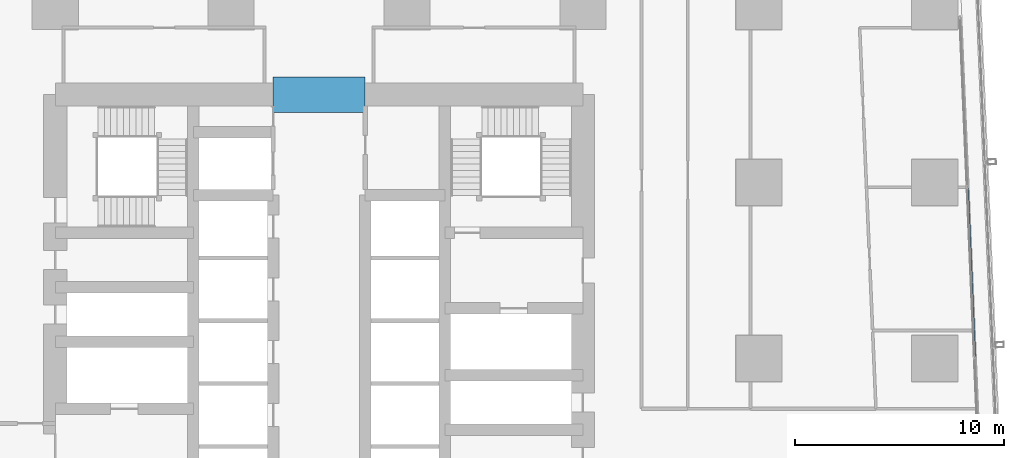
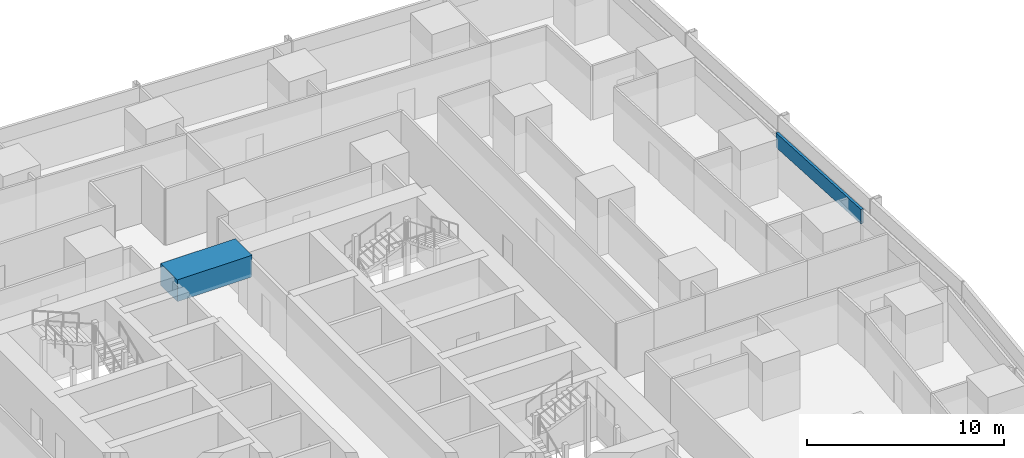
# One storey, part 17 of 42: 1 beam, 1 member, 1 element without a shape of its own.
"""IFC4 building model written with IfcOpenShell, lengths in metres."""

from ifc_helpers import new_model, si_unit, direction, frame, origin, origin_2d, place, context, subcontext, project, spatial, rectangle, hollow_rectangle, extrude, material, material_profile, profile_set, type_object, element, aggregate, save


model = new_model("IFC4")

# Units and contexts
model_context = context("Model", 3, precision=1e-05, world=origin(), true_north=direction((0.0, 1.0)))
body_context = subcontext(model_context, "Body", "Model", "MODEL_VIEW")
ifc_project = project(units=[si_unit("LENGTHUNIT", "METRE"), si_unit("AREAUNIT", "SQUARE_METRE"), si_unit("VOLUMEUNIT", "CUBIC_METRE"), si_unit("PLANEANGLEUNIT", "RADIAN"), si_unit("MASSUNIT", "GRAM", prefix="KILO")], contexts=[model_context])

# Site, building, storey
site_placement = place(None, origin())
site = spatial("IfcSite", under=ifc_project, at=site_placement, CompositionType="ELEMENT")
building_placement = place(site_placement, origin())
building = spatial("IfcBuilding", under=site, at=building_placement, Name="Rekha Terrace Tower", CompositionType="ELEMENT")
storey_placement = place(building_placement, frame((0.0, 0.0, 55.39990234375)))
storey = spatial("IfcBuildingStorey", under=building, at=storey_placement, Name="L13", CompositionType="ELEMENT", Elevation=55.39990234375)

# Curtain wall, member
ifc_material_1 = material(Name="Aluminium framing", Category="aluminium")
curtain_wall_type = type_object("IfcCurtainWallType", Name="CW1 double skin inner glazing", PredefinedType="USERDEFINED", material=ifc_material_1)
curtain_wall_placement = place(storey_placement, origin())
curtain_wall = element("IfcCurtainWall", 1, at=curtain_wall_placement, inside=storey, type_object=curtain_wall_type, Name="CW1 double skin inner glazing", ObjectType="DOUBLE SKIN INNER GLAZING", PredefinedType="USERDEFINED")
ifc_material_2 = material(Name="Insulated aluminium spandrel box", Category="aluminium")
ifc_material_profile_1 = material_profile(ifc_material_2, hollow_rectangle(XDim=0.14990234375, YDim=0.89990234375, WallThickness=0.0029296875, at=origin_2d()), Name="AL SPANDREL BOX 150x900")
ifc_profile_set_1 = profile_set([ifc_material_profile_1], Name="Insulated aluminium spandrel box")
member_type = type_object("IfcMemberType", Name="CW1 spandrel transom 150 x 900", PredefinedType="USERDEFINED", material=ifc_profile_set_1)
member_placement = place(storey_placement, frame((69.08935546875, 33.682861328125, 3.050048828125), z_axis=(-0.042698394831, 0.999088007674, 0.0), x_axis=(-0.999088007674, -0.042698394831, 0.0)))
member = element("IfcMember", 2, at=member_placement, type_object=member_type, Name="CW1 spandrel transom 2", ObjectType="TRANSOM", PredefinedType="USERDEFINED", context=body_context, shape_type="SweptSolid", body=[
    extrude(hollow_rectangle(XDim=0.14990234375, YDim=0.89990234375, WallThickness=0.0029296875, at=origin_2d()), origin(), (0.0, 0.0, 1.0), 8.073486328125),
])
aggregate(curtain_wall, [member])

# Beam
ifc_material_3 = material(Name="Concrete M70", Category="concrete")
ifc_material_profile_2 = material_profile(ifc_material_3, rectangle(XDim=1.699951171875, YDim=1.35009765625, at=origin_2d()), Name="RC 1700x1350")
ifc_profile_set_2 = profile_set([ifc_material_profile_2], Name="Concrete M70")
beam_type = type_object("IfcBeamType", Name="LB1A 1700x1350 diagonally reinforced coupling beam", PredefinedType="LINTEL", material=ifc_profile_set_2)
beam_placement = place(storey_placement, frame((35.60009765625, 46.199951171875, 3.0751953125), z_axis=(1.0, 0.0, 0.0), x_axis=(0.0, 1.0, 0.0)))
element("IfcBeam", 3, at=beam_placement, inside=storey, type_object=beam_type, Name="Coupling beam LB1A N L13", PredefinedType="LINTEL", context=body_context, shape_type="SweptSolid", body=[
    extrude(rectangle(XDim=1.699951171875, YDim=1.35009765625, at=origin_2d()), origin(), (0.0, 0.0, 1.0), 4.39990234375),
])

save(model, "model.ifc")
